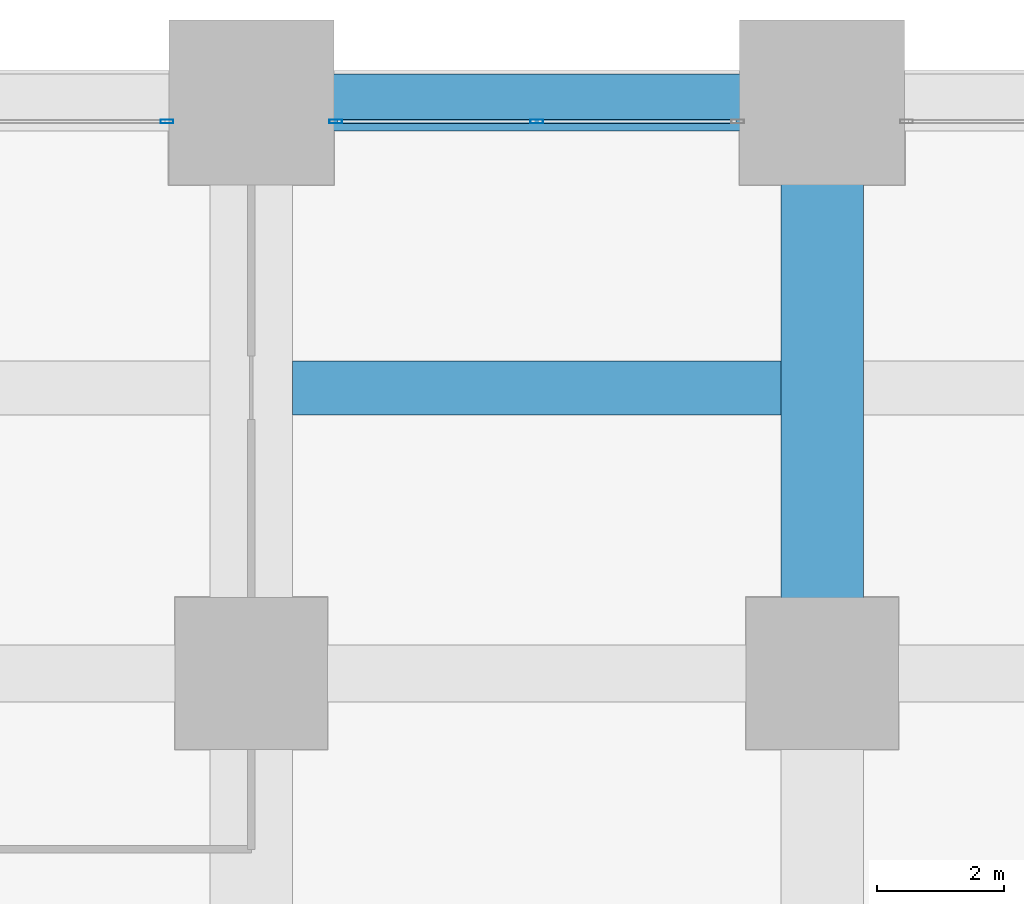
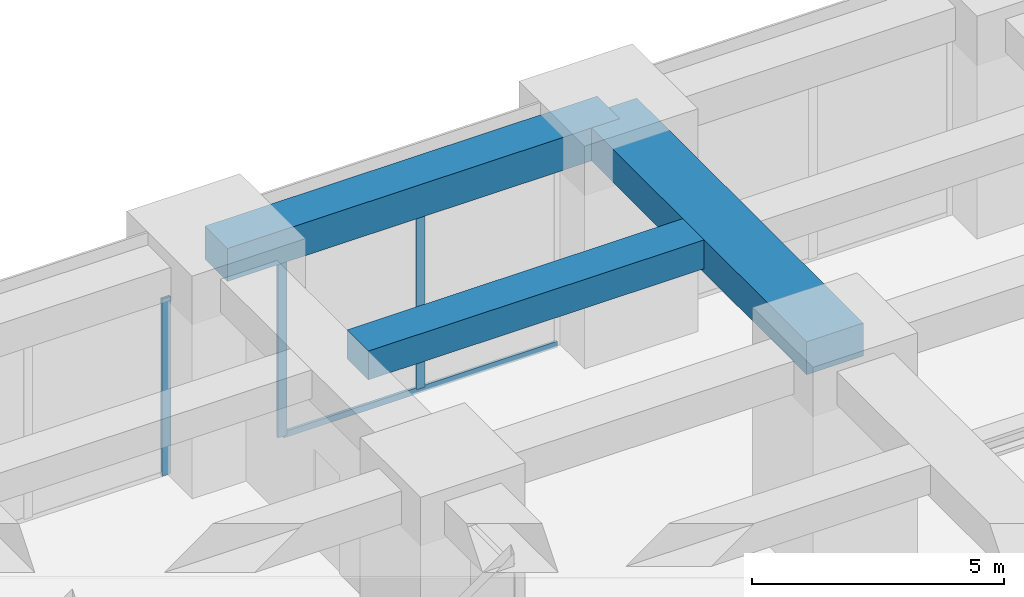
# One storey, part 24 of 45: 4 members, 3 beams, 2 elements without a shape of their own.
"""IFC4 building model written with IfcOpenShell, lengths in metres."""

from ifc_helpers import new_model, si_unit, direction, frame, origin, origin_2d, place, context, subcontext, project, spatial, rectangle, hollow_rectangle, extrude, material, material_profile, profile_set, type_object, element, aggregate, save


model = new_model("IFC4")

# Units and contexts
model_context = context("Model", 3, precision=1e-05, world=origin(), true_north=direction((0.0, 1.0)))
body_context = subcontext(model_context, "Body", "Model", "MODEL_VIEW")
ifc_project = project(units=[si_unit("LENGTHUNIT", "METRE"), si_unit("AREAUNIT", "SQUARE_METRE"), si_unit("VOLUMEUNIT", "CUBIC_METRE"), si_unit("PLANEANGLEUNIT", "RADIAN"), si_unit("MASSUNIT", "GRAM", prefix="KILO")], contexts=[model_context])

# Site, building, storey
site_placement = place(None, origin())
site = spatial("IfcSite", under=ifc_project, at=site_placement, CompositionType="ELEMENT")
building_placement = place(site_placement, origin())
building = spatial("IfcBuilding", under=site, at=building_placement, Name="Zorevar Civic Tower", CompositionType="ELEMENT")
storey_placement = place(building_placement, frame((0.0, 0.0, 5.39990234375)))
storey = spatial("IfcBuildingStorey", under=building, at=storey_placement, Name="L01", CompositionType="ELEMENT", Elevation=5.39990234375)

# Beams
ifc_material_1 = material(Name="Concrete C50/60", Category="concrete")
ifc_material_profile_1 = material_profile(ifc_material_1, rectangle(XDim=1.300048828125, YDim=0.800048828125, at=origin_2d()), Name="RC 1300x800")
ifc_profile_set_1 = profile_set([ifc_material_profile_1], Name="Concrete C50/60")
beam_type_1 = type_object("IfcBeamType", Name="Beam RC 1300x800", PredefinedType="BEAM", material=ifc_profile_set_1)
beam_1_placement = place(storey_placement, frame((18.0, 45.0, 4.7001953125), z_axis=(0.0, 1.0, 0.0), x_axis=(-1.0, 0.0, 0.0)))
element("IfcBeam", 1, at=beam_1_placement, inside=storey, type_object=beam_type_1, Name="Girder L02", PredefinedType="BEAM", context=body_context, shape_type="SweptSolid", body=[
    extrude(rectangle(XDim=1.300048828125, YDim=0.800048828125, at=origin_2d()), origin(), (0.0, 0.0, 1.0), 9.0),
])
ifc_material_2 = material(Name="Concrete C50/60", Category="concrete")
ifc_material_profile_2 = material_profile(ifc_material_2, rectangle(XDim=0.85009765625, YDim=0.699951171875, at=origin_2d()), Name="RC 850x700")
ifc_profile_set_2 = profile_set([ifc_material_profile_2], Name="Concrete C50/60")
beam_type_2 = type_object("IfcBeamType", Name="Beam RC 850x700", PredefinedType="BEAM", material=ifc_profile_set_2)
beam_2_placement = place(storey_placement, frame((9.64990234375, 49.5, 4.75), z_axis=(1.0, 0.0, 0.0), x_axis=(0.0, 1.0, 0.0)))
element("IfcBeam", 2, at=beam_2_placement, inside=storey, type_object=beam_type_2, Name="Secondary beam L02", PredefinedType="BEAM", context=body_context, shape_type="SweptSolid", body=[
    extrude(rectangle(XDim=0.85009765625, YDim=0.699951171875, at=origin_2d()), origin(), (0.0, 0.0, 1.0), 7.7001953125),
])

# Curtain wall, member
ifc_material_3 = material(Name="Dark grey solar-control glass in black aluminium frame", Category="aluminium")
curtain_wall_type = type_object("IfcCurtainWallType", Name="Curtain wall CW1 podium", PredefinedType="NOTDEFINED", material=ifc_material_3)
curtain_wall_1_placement = place(storey_placement, origin())
curtain_wall_1 = element("IfcCurtainWall", 3, at=curtain_wall_1_placement, inside=storey, type_object=curtain_wall_type, Name="CW1 L01", PredefinedType="NOTDEFINED")
ifc_material_4 = material(Name="Aluminium, black anodised", Category="aluminium")
ifc_material_profile_3 = material_profile(ifc_material_4, hollow_rectangle(XDim=0.06005859375, YDim=0.199951171875, WallThickness=0.00390625, at=origin_2d()), Name="AL 200x60x4")
ifc_profile_set_3 = profile_set([ifc_material_profile_3], Name="Aluminium, black anodised")
member_type_1 = type_object("IfcMemberType", Name="CW1 mullion AL 200x60x4", PredefinedType="MULLION", material=ifc_profile_set_3)
member_1_placement = place(storey_placement, frame((7.669921875, 53.699951171875, 0.0), z_axis=(0.0, 0.0, 1.0), x_axis=(0.0, 1.0, 0.0)))
member_1 = element("IfcMember", 4, at=member_1_placement, type_object=member_type_1, Name="CW1 mullion 3", PredefinedType="MULLION", context=body_context, shape_type="SweptSolid", body=[
    extrude(hollow_rectangle(XDim=0.06005859375, YDim=0.199951171875, WallThickness=0.00390625, at=origin_2d()), origin(), (0.0, 0.0, 1.0), 4.300048828125),
])
aggregate(curtain_wall_1, [member_1])

# Curtain wall, members
curtain_wall_2_placement = place(storey_placement, origin())
curtain_wall_2 = element("IfcCurtainWall", 5, at=curtain_wall_2_placement, inside=storey, type_object=curtain_wall_type, Name="CW1 L01", PredefinedType="NOTDEFINED")
member_2_placement = place(storey_placement, frame((10.330078125, 53.699951171875, 0.0), z_axis=(0.0, 0.0, 1.0), x_axis=(0.0, 1.0, 0.0)))
member_2 = element("IfcMember", 6, at=member_2_placement, type_object=member_type_1, Name="CW1 mullion 1", PredefinedType="MULLION", context=body_context, shape_type="SweptSolid", body=[
    extrude(hollow_rectangle(XDim=0.06005859375, YDim=0.199951171875, WallThickness=0.00390625, at=origin_2d()), origin(), (0.0, 0.0, 1.0), 4.300048828125),
])
member_3_placement = place(storey_placement, frame((13.5, 53.699951171875, 0.06005859375), z_axis=(0.0, 0.0, 1.0), x_axis=(0.0, 1.0, 0.0)))
member_3 = element("IfcMember", 7, at=member_3_placement, type_object=member_type_1, Name="CW1 mullion 2", PredefinedType="MULLION", context=body_context, shape_type="SweptSolid", body=[
    extrude(hollow_rectangle(XDim=0.06005859375, YDim=0.199951171875, WallThickness=0.00390625, at=origin_2d()), origin(), (0.0, 0.0, 1.0), 4.239990234375),
])
ifc_material_5 = material(Name="Aluminium, black anodised", Category="aluminium")
ifc_material_profile_4 = material_profile(ifc_material_5, hollow_rectangle(XDim=0.06005859375, YDim=0.14990234375, WallThickness=0.00390625, at=origin_2d()), Name="AL 150x60x4")
ifc_profile_set_4 = profile_set([ifc_material_profile_4], Name="Aluminium, black anodised")
member_type_2 = type_object("IfcMemberType", Name="CW1 transom AL 150x60x4", PredefinedType="USERDEFINED", material=ifc_profile_set_4)
member_4_placement = place(storey_placement, frame((10.360107421875, 53.699951171875, 0.030029296875), z_axis=(1.0, 0.0, 0.0), x_axis=(0.0, 1.0, 0.0)))
member_4 = element("IfcMember", 8, at=member_4_placement, type_object=member_type_2, Name="CW1 sill transom", ObjectType="TRANSOM", PredefinedType="USERDEFINED", context=body_context, shape_type="SweptSolid", body=[
    extrude(hollow_rectangle(XDim=0.06005859375, YDim=0.14990234375, WallThickness=0.00390625, at=origin_2d()), origin(), (0.0, 0.0, 1.0), 6.27978515625),
])
aggregate(curtain_wall_2, [member_2, member_3, member_4])

# Beam
ifc_material_6 = material(Name="Concrete C50/60", Category="concrete")
ifc_material_profile_5 = material_profile(ifc_material_6, rectangle(XDim=0.89990234375, YDim=0.800048828125, at=origin_2d()), Name="RC 900x800")
ifc_profile_set_5 = profile_set([ifc_material_profile_5], Name="Concrete C50/60")
beam_type_3 = type_object("IfcBeamType", Name="Edge beam RC 900x800", PredefinedType="SPANDREL", material=ifc_profile_set_5)
beam_3_placement = place(storey_placement, frame((9.0, 54.0, 4.7001953125), z_axis=(1.0, 0.0, 0.0), x_axis=(0.0, 1.0, 0.0)))
element("IfcBeam", 9, at=beam_3_placement, inside=storey, type_object=beam_type_3, Name="Edge beam L02", PredefinedType="SPANDREL", context=body_context, shape_type="SweptSolid", body=[
    extrude(rectangle(XDim=0.89990234375, YDim=0.800048828125, at=origin_2d()), origin(), (0.0, 0.0, 1.0), 9.0),
])

save(model, "model.ifc")
